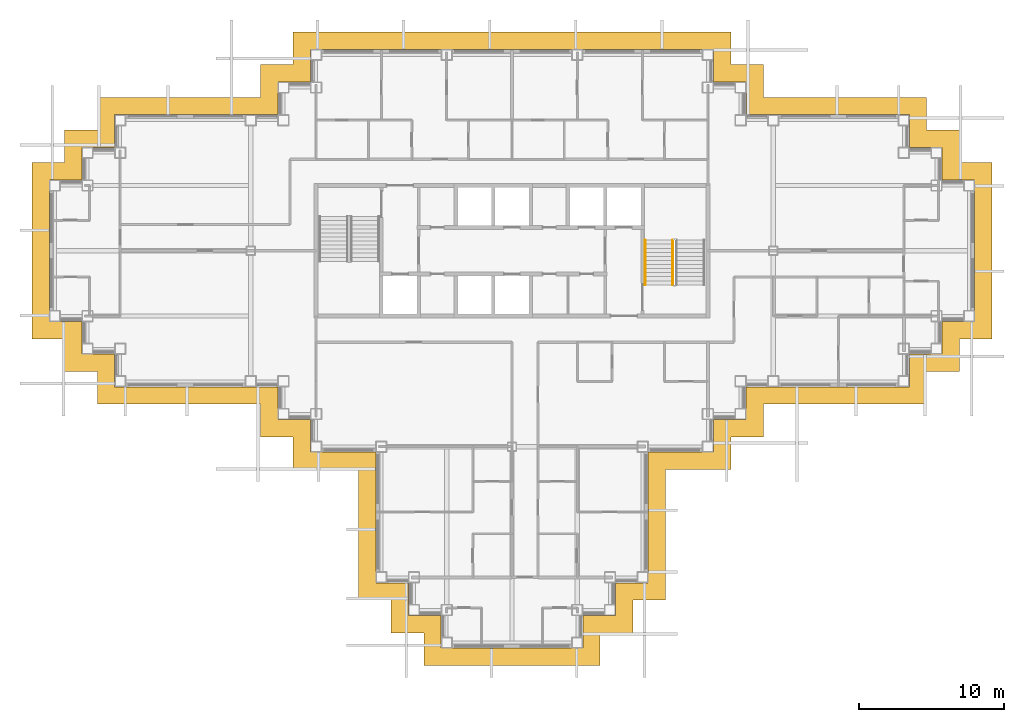
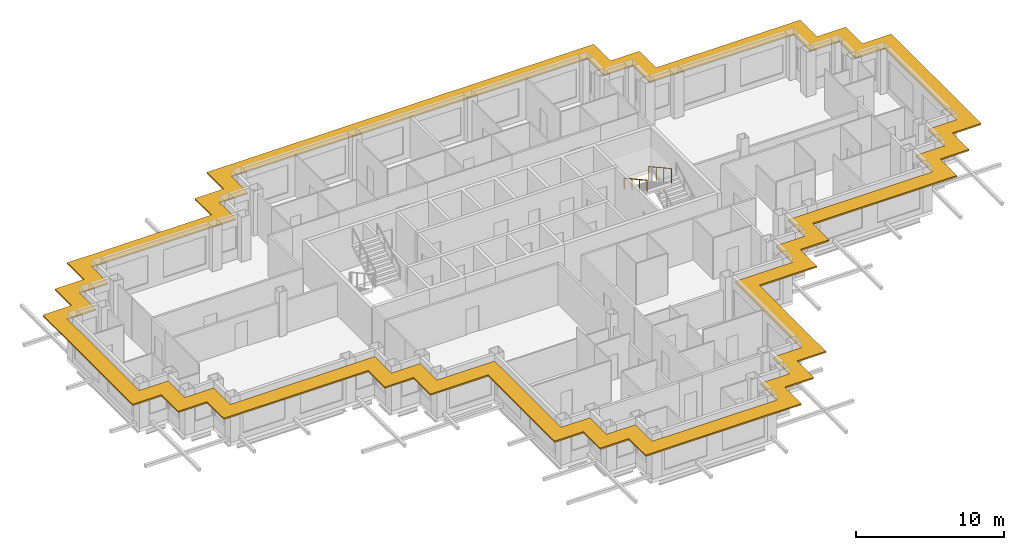
# One storey, part 14 of 15: 2 railings, 1 shading device.
"""IFC4 building model written with IfcOpenShell, lengths in metres."""

from ifc_helpers import new_model, si_unit, direction, frame, origin, origin_2d, place, context, subcontext, project, spatial, polyline, circle, outline, extrude, material, layer, layer_set, type_object, element, save


model = new_model("IFC4")

# Units and contexts
model_context = context("Model", 3, precision=1e-05, world=origin(), true_north=direction((0.0, 1.0)))
body_context = subcontext(model_context, "Body", "Model", "MODEL_VIEW")
ifc_project = project(units=[si_unit("LENGTHUNIT", "METRE"), si_unit("AREAUNIT", "SQUARE_METRE"), si_unit("VOLUMEUNIT", "CUBIC_METRE"), si_unit("PLANEANGLEUNIT", "RADIAN"), si_unit("MASSUNIT", "GRAM", prefix="KILO")], contexts=[model_context])

# Site, building, storey
site_placement = place(None, origin())
site = spatial("IfcSite", under=ifc_project, at=site_placement, CompositionType="ELEMENT")
building_placement = place(site_placement, origin())
building = spatial("IfcBuilding", under=site, at=building_placement, Name="Caravel Reach Hotel and Residences", CompositionType="ELEMENT")
storey_placement = place(building_placement, frame((0.0, 0.0, 172.800048828125)))
storey = spatial("IfcBuildingStorey", under=building, at=storey_placement, Name="L43", CompositionType="ELEMENT", Elevation=172.800048828125)

# Railings
ifc_material_1 = material(Name="Steel balustrade with glass infill", Category="steel")
railing_type_1 = type_object("IfcRailingType", Name="Guard 1200", PredefinedType="GUARDRAIL", material=ifc_material_1)
railing_1_placement = place(storey_placement, frame((42.574951171875, 27.72998046875, 2.004150390625)))
element("IfcRailing", 1, at=railing_1_placement, inside=storey, type_object=railing_type_1, Name="L43 ST-B stair guard 3", PredefinedType="GUARDRAIL", context=body_context, shape_type="SweptSolid", body=[
    extrude(circle(Radius=0.02392578125, at=origin_2d()), frame((0.0, 0.0, 1.17578125), z_axis=(0.0, -0.876004717809, 0.482302534076), x_axis=(1.0, 0.0, 0.0)), (0.0, 0.0, 1.0), 3.51611328125),
    extrude(circle(Radius=0.02099609375, at=origin_2d()), origin(), (0.0, 0.0, 1.0), 1.15185546875),
    extrude(circle(Radius=0.02099609375, at=origin_2d()), frame((0.0, -1.026611328125, 0.565185546875)), (0.0, 0.0, 1.0), 1.15185546875),
    extrude(circle(Radius=0.02099609375, at=origin_2d()), frame((0.0, -2.053466796875, 1.130615234375)), (0.0, 0.0, 1.0), 1.15185546875),
    extrude(circle(Radius=0.02099609375, at=origin_2d()), frame((0.0, -3.080078125, 1.69580078125)), (0.0, 0.0, 1.0), 1.15185546875),
])
ifc_material_2 = material(Name="Stainless steel handrail", Category="steel")
railing_type_2 = type_object("IfcRailingType", Name="Handrail 900", PredefinedType="HANDRAIL", material=ifc_material_2)
railing_2_placement = place(storey_placement, frame((40.675048828125, 27.72998046875, 2.004150390625)))
element("IfcRailing", 2, at=railing_2_placement, inside=storey, type_object=railing_type_2, Name="L43 ST-B stair handrail 2", PredefinedType="HANDRAIL", context=body_context, shape_type="SweptSolid", body=[
    extrude(circle(Radius=0.02392578125, at=origin_2d()), frame((0.0, 0.0, 0.8759765625), z_axis=(0.0, -0.876004717809, 0.482302534076), x_axis=(1.0, 0.0, 0.0)), (0.0, 0.0, 1.0), 3.51611328125),
    extrude(circle(Radius=0.02099609375, at=origin_2d()), origin(), (0.0, 0.0, 1.0), 0.851806640625),
    extrude(circle(Radius=0.02099609375, at=origin_2d()), frame((0.0, -1.026611328125, 0.565185546875)), (0.0, 0.0, 1.0), 0.851806640625),
    extrude(circle(Radius=0.02099609375, at=origin_2d()), frame((0.0, -2.053466796875, 1.130615234375)), (0.0, 0.0, 1.0), 0.851806640625),
    extrude(circle(Radius=0.02099609375, at=origin_2d()), frame((0.0, -3.080078125, 1.69580078125)), (0.0, 0.0, 1.0), 0.851806640625),
])

# Shading device
ifc_material_3 = material(Name="Black powder-coated aluminium", Category="aluminium")
ifc_layer = layer(ifc_material_3, 0.1201171875)
ifc_layer_set = layer_set([ifc_layer], Name="SS1 Sunshade band 1200")
shading_device_type = type_object("IfcShadingDeviceType", Name="SS1 Sunshade band 1200", PredefinedType="USERDEFINED", material=ifc_layer_set)
shading_device_placement = place(storey_placement, frame((0.0, 0.0, 3.0400390625)))
element("IfcShadingDevice", 3, at=shading_device_placement, inside=storey, type_object=shading_device_type, Name="Sunshade L43 1", ObjectType="SUNSHADE", PredefinedType="USERDEFINED", context=body_context, shape_type="SweptSolid", body=[
    extrude(outline(polyline([(20.925048828125, 11.925048828125), (20.925048828125, 2.925048828125), (23.175048828125, 2.925048828125), (23.175048828125, 0.675048828125), (25.425048828125, 0.675048828125), (25.425048828125, -1.574951171875), (37.574951171875, -1.574951171875), (37.574951171875, 0.675048828125), (39.824951171875, 0.675048828125), (39.824951171875, 2.925048828125), (42.074951171875, 2.925048828125), (42.074951171875, 11.925048828125), (46.574951171875, 11.925048828125), (46.574951171875, 14.175048828125), (48.824951171875, 14.175048828125), (48.824951171875, 16.425048828125), (60.074951171875, 16.425048828125), (60.074951171875, 18.675048828125), (62.324951171875, 18.675048828125), (62.324951171875, 20.925048828125), (64.574951171875, 20.925048828125), (64.574951171875, 33.074951171875), (62.324951171875, 33.074951171875), (62.324951171875, 35.324951171875), (60.074951171875, 35.324951171875), (60.074951171875, 37.574951171875), (48.824951171875, 37.574951171875), (48.824951171875, 39.824951171875), (46.574951171875, 39.824951171875), (46.574951171875, 42.074951171875), (16.425048828125, 42.074951171875), (16.425048828125, 39.824951171875), (14.175048828125, 39.824951171875), (14.175048828125, 37.574951171875), (2.925048828125, 37.574951171875), (2.925048828125, 35.324951171875), (0.675048828125, 35.324951171875), (0.675048828125, 33.074951171875), (-1.574951171875, 33.074951171875), (-1.574951171875, 20.925048828125), (0.675048828125, 20.925048828125), (0.675048828125, 18.675048828125), (2.925048828125, 18.675048828125), (2.925048828125, 16.425048828125), (14.175048828125, 16.425048828125), (14.175048828125, 14.175048828125), (16.425048828125, 14.175048828125), (16.425048828125, 11.925048828125), (20.925048828125, 11.925048828125)]), holes=[polyline([(24.375, 4.125), (22.125, 4.125), (22.125, 13.125), (17.625, 13.125), (17.625, 15.375), (15.375, 15.375), (15.375, 17.625), (4.125, 17.625), (4.125, 19.875), (1.875, 19.875), (1.875, 22.125), (-0.375, 22.125), (-0.375, 31.875), (1.875, 31.875), (1.875, 34.125), (4.125, 34.125), (4.125, 36.375), (15.375, 36.375), (15.375, 38.625), (17.625, 38.625), (17.625, 40.875), (45.375, 40.875), (45.375, 38.625), (47.625, 38.625), (47.625, 36.375), (58.875, 36.375), (58.875, 34.125), (61.125, 34.125), (61.125, 31.875), (63.375, 31.875), (63.375, 22.125), (61.125, 22.125), (61.125, 19.875), (58.875, 19.875), (58.875, 17.625), (47.625, 17.625), (47.625, 15.375), (45.375, 15.375), (45.375, 13.125), (40.875, 13.125), (40.875, 4.125), (38.625, 4.125), (38.625, 1.875), (36.375, 1.875), (36.375, -0.375), (26.625, -0.375), (26.625, 1.875), (24.375, 1.875), (24.375, 4.125)])]), origin(), (0.0, 0.0, 1.0), 0.119873046875),
])

save(model, "model.ifc")
